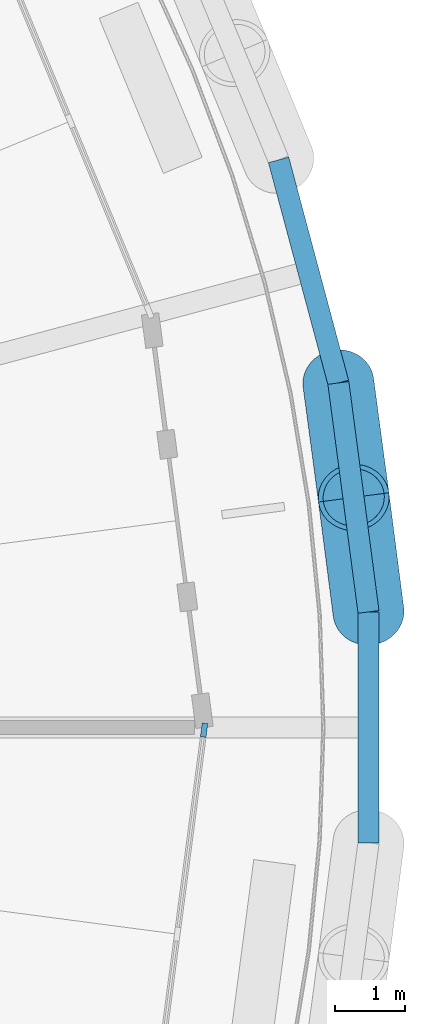
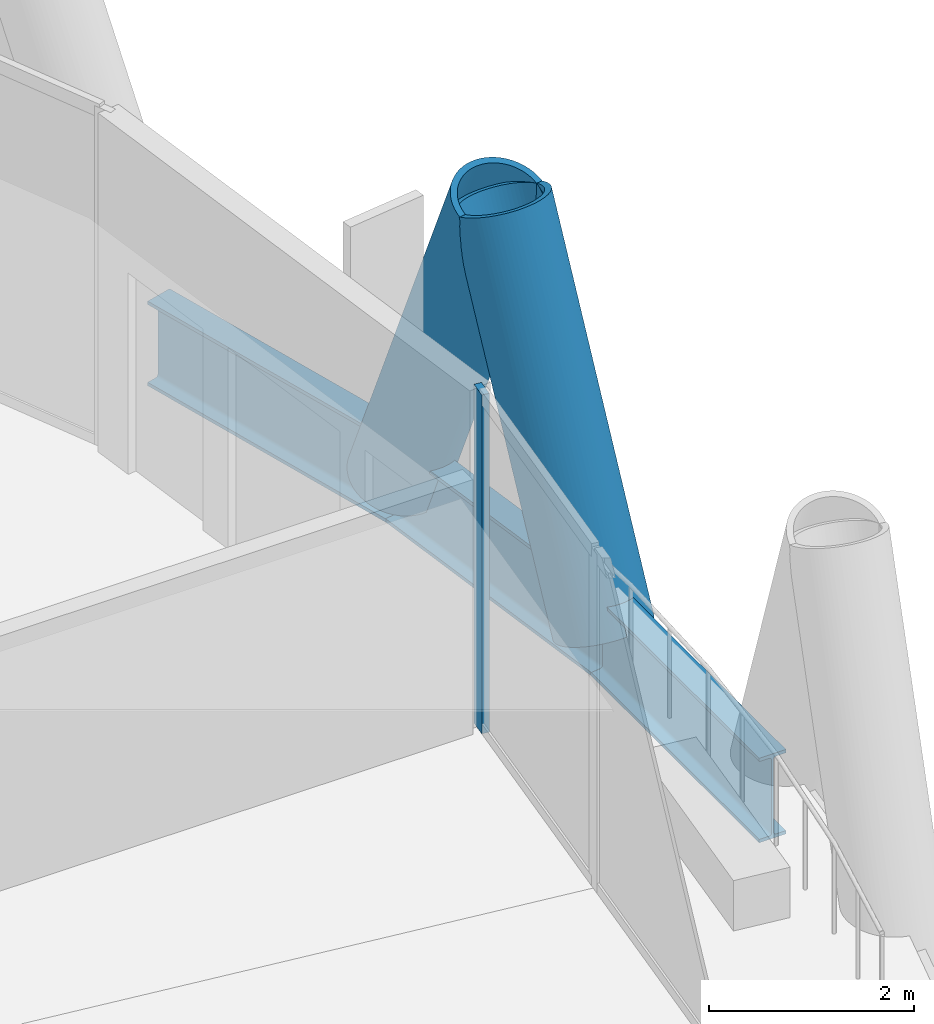
# One storey, part 5 of 15: 3 beams, 3 members, 1 element without a shape of its own.
"""IFC4 building model written with IfcOpenShell, lengths in metres."""

from ifc_helpers import new_model, si_unit, direction, frame, origin, origin_2d, place, context, subcontext, project, spatial, rectangle, hollow_circle, i_section, extrude, material, material_profile, profile_set, type_object, element, aggregate, save


model = new_model("IFC4")

# Units and contexts
model_context = context("Model", 3, precision=1e-05, world=origin(), true_north=direction((0.0, 1.0)))
body_context = subcontext(model_context, "Body", "Model", "MODEL_VIEW")
ifc_project = project(units=[si_unit("LENGTHUNIT", "METRE"), si_unit("AREAUNIT", "SQUARE_METRE"), si_unit("VOLUMEUNIT", "CUBIC_METRE"), si_unit("PLANEANGLEUNIT", "RADIAN"), si_unit("MASSUNIT", "GRAM", prefix="KILO")], contexts=[model_context])

# Site, building, storey
site_placement = place(None, origin())
site = spatial("IfcSite", under=ifc_project, at=site_placement, CompositionType="ELEMENT")
building_placement = place(site_placement, origin())
building = spatial("IfcBuilding", under=site, at=building_placement, Name="Qaws Media Tower", CompositionType="ELEMENT")
storey_placement = place(building_placement, frame((0.0, 0.0, 114.199951171875)))
storey = spatial("IfcBuildingStorey", under=building, at=storey_placement, Name="L25", CompositionType="ELEMENT", Elevation=114.199951171875)

# Curtain wall, member
ifc_material_1 = material(Name="Aluminium and clear glass", Category="aluminium")
curtain_wall_type = type_object("IfcCurtainWallType", Name="Unitised curtain wall CW-B", PredefinedType="NOTDEFINED", material=ifc_material_1)
curtain_wall_placement = place(storey_placement, origin())
curtain_wall = element("IfcCurtainWall", 1, at=curtain_wall_placement, inside=storey, type_object=curtain_wall_type, Name="CWB curtain wall L25-24", PredefinedType="NOTDEFINED")
ifc_material_2 = material(Name="Aluminium mullion", Category="aluminium")
ifc_material_profile_1 = material_profile(ifc_material_2, rectangle(XDim=0.080078125, YDim=0.199951171875, at=origin_2d()), Name="80x200")
ifc_profile_set_1 = profile_set([ifc_material_profile_1], Name="Aluminium mullion")
member_type_1 = type_object("IfcMemberType", Name="Curtain wall mullion 80x200", PredefinedType="MULLION", material=ifc_profile_set_1)
member_placement = place(storey_placement, frame((82.8447265625, 49.96044921875, 0.0), z_axis=(0.0, 0.0, 1.0), x_axis=(-0.991444858023, 0.130526217674, 0.0)))
member = element("IfcMember", 2, at=member_placement, type_object=member_type_1, Name="CWB mullion 3", PredefinedType="MULLION", context=body_context, shape_type="SweptSolid", body=[
    extrude(rectangle(XDim=0.080078125, YDim=0.199951171875, at=origin_2d()), origin(), (0.0, 0.0, 1.0), 4.0400390625),
])
aggregate(curtain_wall, [member])

# Members
ifc_material_3 = material(Name="Steel S460", Category="steel")
ifc_material_profile_2 = material_profile(ifc_material_3, hollow_circle(Radius=0.508056640625, WallThickness=0.070068359375, at=origin_2d()), Name="CHS 1016x70")
ifc_profile_set_2 = profile_set([ifc_material_profile_2], Name="Steel S460")
member_type_2 = type_object("IfcMemberType", Name="Diagrid member CHS 1016x70", PredefinedType="USERDEFINED", material=ifc_profile_set_2)
for number, where, z_axis, x_axis, name in (
    (3, (85.196044921875, 51.6513671875, -0.6640625), (-0.046899822475, 0.362919156842, 0.930639614593), (-0.991753034089, -0.128163642951, 0.0), "DG3 diagrid L25 A01"),
    (4, (84.764892578125, 54.926025390625, -0.6640625), (0.048631593333, -0.362654284432, 0.930653984095), (0.991128198543, 0.13290934524, 0.0), "DG3 diagrid L25 B02"),
):
    element("IfcMember", number, at=place(storey_placement, frame(where, z_axis=z_axis, x_axis=x_axis)), inside=storey, type_object=member_type_2, Name=name, ObjectType="DIAGRID", PredefinedType="USERDEFINED", context=body_context, shape_type="SweptSolid", body=[
        extrude(hollow_circle(Radius=0.508056640625, WallThickness=0.070068359375, at=origin_2d()), origin(), (0.0, 0.0, 1.0), 4.51318359375),
    ])

# Beams
ifc_material_4 = material(Name="Steel S460", Category="steel")
ifc_material_profile_3 = material_profile(ifc_material_4, i_section(OverallWidth=0.302001953125, OverallDepth=1.008056640625, WebThickness=0.02099609375, FlangeThickness=0.0400390625, FilletRadius=0.030029296875, at=origin_2d()), Name="HE 1000 M")
ifc_profile_set_3 = profile_set([ifc_material_profile_3], Name="Steel S460")
beam_type = type_object("IfcBeamType", Name="Edge ring beam HE 1000 M", PredefinedType="BEAM", material=ifc_profile_set_3)
for number, where, z_axis, x_axis, name in (
    (5, (85.196044921875, 51.6513671875, -0.6640625), (-0.130536731142, 0.991443473841, 0.0), (-0.991443473841, -0.130536731142, 0.0), "RB3 edge ring beam L25-01"),
    (6, (84.764892578125, 54.926025390625, -0.6640625), (-0.258849385643, 0.965917696055, 0.0), (-0.965917696055, -0.258849385643, 0.0), "RB3 edge ring beam L25-02"),
):
    element("IfcBeam", number, at=place(storey_placement, frame(where, z_axis=z_axis, x_axis=x_axis)), inside=storey, type_object=beam_type, Name=name, PredefinedType="BEAM", context=body_context, shape_type="SweptSolid", body=[
        extrude(i_section(OverallWidth=0.302001953125, OverallDepth=1.008056640625, WebThickness=0.02099609375, FlangeThickness=0.0400390625, FilletRadius=0.030029296875, at=origin_2d()), origin(), (0.0, 0.0, 1.0), 3.302978515625),
    ])
beam_placement = place(storey_placement, frame((85.196044921875, 48.3486328125, -0.6640625), z_axis=(0.0, 1.0, 0.0), x_axis=(-1.0, 0.0, 0.0)))
element("IfcBeam", 7, at=beam_placement, inside=storey, type_object=beam_type, Name="RB3 edge ring beam L25-48", PredefinedType="BEAM", context=body_context, shape_type="SweptSolid", body=[
    extrude(i_section(OverallWidth=0.302001953125, OverallDepth=1.008056640625, WebThickness=0.02099609375, FlangeThickness=0.0400390625, FilletRadius=0.030029296875, at=origin_2d()), origin(), (0.0, 0.0, 1.0), 3.302734375),
])

save(model, "model.ifc")
